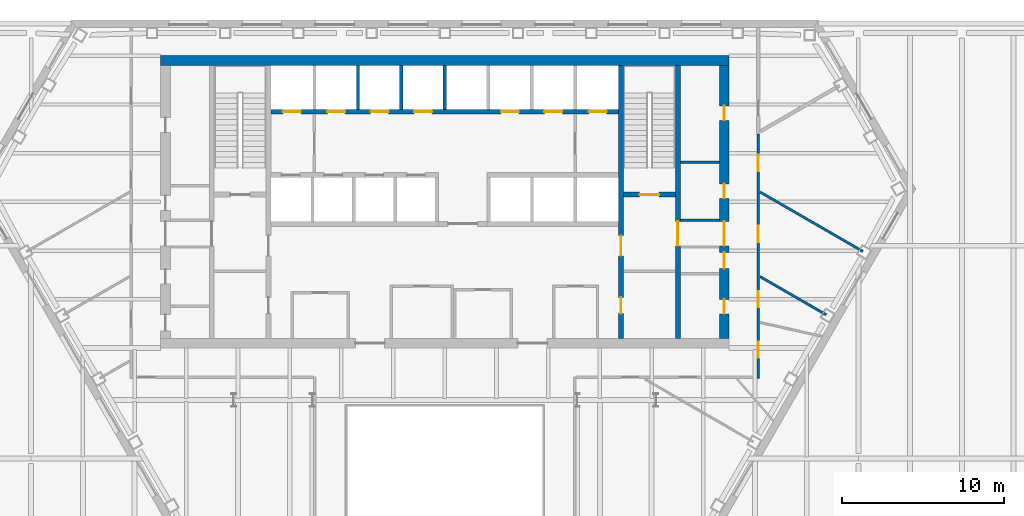
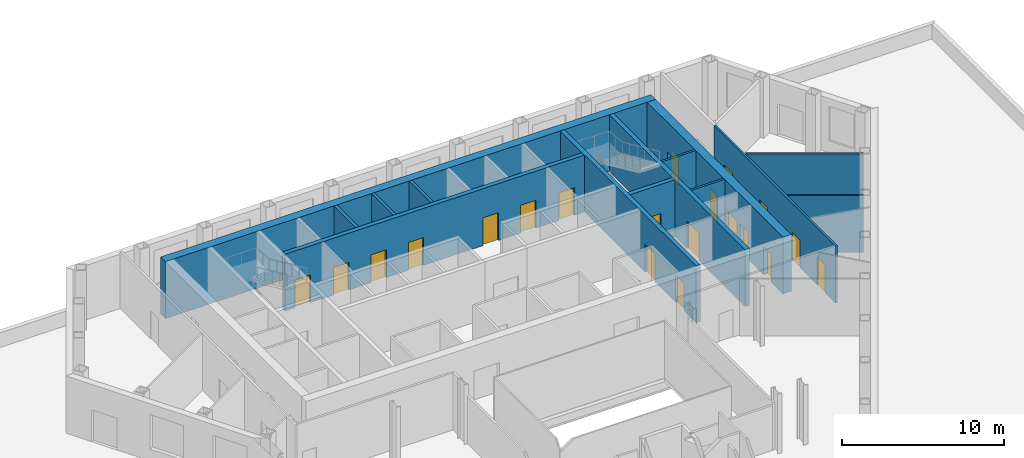
# One storey, part 9 of 14: 20 doors, 14 walls, 20 openings.
"""IFC4 building model written with IfcOpenShell, lengths in metres."""

from ifc_helpers import new_model, si_unit, direction, frame, frame_2d, origin, place, context, subcontext, project, spatial, rectangle, extrude, material, layer, layer_set, type_object, element, fill, save


model = new_model("IFC4")

# Units and contexts
model_context = context("Model", 3, precision=1e-05, world=origin(), true_north=direction((0.0, 1.0)))
body_context = subcontext(model_context, "Body", "Model", "MODEL_VIEW")
ifc_project = project(units=[si_unit("LENGTHUNIT", "METRE"), si_unit("AREAUNIT", "SQUARE_METRE"), si_unit("VOLUMEUNIT", "CUBIC_METRE"), si_unit("PLANEANGLEUNIT", "RADIAN"), si_unit("MASSUNIT", "GRAM", prefix="KILO")], contexts=[model_context])

# Site, building, storey
site_placement = place(None, origin())
site = spatial("IfcSite", under=ifc_project, at=site_placement, CompositionType="ELEMENT")
building_placement = place(site_placement, origin())
building = spatial("IfcBuilding", under=site, at=building_placement, Name="Njiva Tower", CompositionType="ELEMENT")
storey_placement = place(building_placement, frame((0.0, 0.0, 28.8)))
storey = spatial("IfcBuildingStorey", under=building, at=storey_placement, Name="L05", CompositionType="ELEMENT", Elevation=28.8)

# Wall, openings, doors
ifc_material_1 = material(Name="Concrete C40/50", Category="concrete")
ifc_layer_1 = layer(ifc_material_1, 0.3)
ifc_layer_set_1 = layer_set([ifc_layer_1], Name="Concrete C40/50")
wall_type_1 = type_object("IfcWallType", Name="WT10 Stair enclosure wall 300", PredefinedType="SHEAR", material=ifc_layer_set_1)
wall_1_placement = place(storey_placement, frame((10.85, 0.6, 0.0), z_axis=(0.0, 0.0, 1.0), x_axis=(0.0, 1.0, 0.0)))
wall_1 = element("IfcWall", 1, at=wall_1_placement, inside=storey, type_object=wall_type_1, Name="Stair wall east inner", PredefinedType="SHEAR", context=body_context, shape_type="SweptSolid", body=[
    extrude(rectangle(XDim=16.8, YDim=0.3, at=frame_2d((8.4, 0.0))), origin(), (0.0, 0.0, 1.0), 4.3),
])
opening_1_placement = place(wall_1_placement, frame((5.075, 0.0, 0.0)))
opening_1 = element("IfcOpeningElement", 2, at=opening_1_placement, cuts=wall_1, Name="Opening S01-D918", PredefinedType="OPENING", context=body_context, shape_type="SweptSolid", body=[
    extrude(rectangle(XDim=1.25, YDim=2.1, at=frame_2d((0.625, 1.05))), frame((0.0, 0.16, 0.0), z_axis=(0.0, -1.0, 0.0), x_axis=(1.0, 0.0, 0.0)), (0.0, 0.0, 1.0), 0.32),
])
opening_2_placement = place(wall_1_placement, frame((1.525, 0.0, 0.0)))
opening_2 = element("IfcOpeningElement", 3, at=opening_2_placement, cuts=wall_1, Name="Opening S01-D919", PredefinedType="OPENING", context=body_context, shape_type="SweptSolid", body=[
    extrude(rectangle(XDim=1.0, YDim=2.1, at=frame_2d((0.5, 1.05))), frame((0.0, 0.16, 0.0), z_axis=(0.0, -1.0, 0.0), x_axis=(1.0, 0.0, 0.0)), (0.0, 0.0, 1.0), 0.32),
])
ifc_material_2 = material(Name="Steel door, painted", Category="steel")
door_type_1 = type_object("IfcDoorType", Name="D5 Steel door 1000x2100", OperationType="SINGLE_SWING_LEFT", PredefinedType="DOOR", material=ifc_material_2)
door_1_placement = place(opening_2_placement, origin())
door_1 = element("IfcDoor", 4, at=door_1_placement, inside=storey, type_object=door_type_1, Name="First aid room door", OperationType="SINGLE_SWING_LEFT", OverallHeight=2.1, OverallWidth=1.0, PredefinedType="DOOR", context=body_context, shape_type="SweptSolid", body=[
    extrude(rectangle(XDim=1.0, YDim=2.1, at=frame_2d((0.5, 1.05))), frame((0.0, 0.025, 0.0), z_axis=(0.0, -1.0, 0.0), x_axis=(1.0, 0.0, 0.0)), (0.0, 0.0, 1.0), 0.05),
])
fill(opening_2, door_1)
ifc_material_3 = material(Name="Glazed steel fire door", Category="steel")
door_type_2 = type_object("IfcDoorType", Name="D8 Vestibule corridor door 1250x2100 glazed", OperationType="SINGLE_SWING_LEFT", PredefinedType="DOOR", material=ifc_material_3)
door_2_placement = place(opening_1_placement, origin())
door_2 = element("IfcDoor", 5, at=door_2_placement, inside=storey, type_object=door_type_2, Name="Stair vestibule corridor door", OperationType="SINGLE_SWING_RIGHT", OverallHeight=2.1, OverallWidth=1.25, PredefinedType="DOOR", context=body_context, shape_type="SweptSolid", body=[
    extrude(rectangle(XDim=1.25, YDim=2.1, at=frame_2d((0.625, 1.05))), frame((0.0, 0.025, 0.0), z_axis=(0.0, -1.0, 0.0), x_axis=(1.0, 0.0, 0.0)), (0.0, 0.0, 1.0), 0.05),
])
fill(opening_1, door_2)

# Wall, opening, door
wall_2_placement = place(storey_placement, frame((14.35, 0.6, 0.0), z_axis=(0.0, 0.0, 1.0), x_axis=(0.0, 1.0, 0.0)))
wall_2 = element("IfcWall", 6, at=wall_2_placement, inside=storey, type_object=wall_type_1, Name="Stair wall east outer", PredefinedType="SHEAR", context=body_context, shape_type="SweptSolid", body=[
    extrude(rectangle(XDim=16.8, YDim=0.3, at=frame_2d((8.4, 0.0))), origin(), (0.0, 0.0, 1.0), 4.3),
])
opening_3_placement = place(wall_2_placement, frame((5.7, 0.0, 0.0)))
opening_3 = element("IfcOpeningElement", 7, at=opening_3_placement, cuts=wall_2, Name="Opening S01-D926", PredefinedType="OPENING", context=body_context, shape_type="SweptSolid", body=[
    extrude(rectangle(XDim=1.5, YDim=2.1, at=frame_2d((0.75, 1.05))), frame((0.0, 0.16, 0.0), z_axis=(0.0, -1.0, 0.0), x_axis=(1.0, 0.0, 0.0)), (0.0, 0.0, 1.0), 0.32),
])
door_type_3 = type_object("IfcDoorType", Name="D10 Exit door double 1500x2100 glazed", OperationType="DOUBLE_DOOR_SINGLE_SWING", PredefinedType="DOOR", material=ifc_material_3)
door_3_placement = place(opening_3_placement, origin())
door_3 = element("IfcDoor", 8, at=door_3_placement, inside=storey, type_object=door_type_3, Name="Stair B passage door", OperationType="DOUBLE_DOOR_SINGLE_SWING", OverallHeight=2.1, OverallWidth=1.5, PredefinedType="DOOR", context=body_context, shape_type="SweptSolid", body=[
    extrude(rectangle(XDim=1.5, YDim=2.1, at=frame_2d((0.75, 1.05))), frame((0.0, 0.025, 0.0), z_axis=(0.0, -1.0, 0.0), x_axis=(1.0, 0.0, 0.0)), (0.0, 0.0, 1.0), 0.05),
])
fill(opening_3, door_3)

wall_3_placement = place(storey_placement, frame((11.0, 9.45, 0.0), z_axis=(0.0, 0.0, 1.0), x_axis=(1.0, 0.0, 0.0)))
wall_3 = element("IfcWall", 9, at=wall_3_placement, inside=storey, type_object=wall_type_1, Name="Stair B south wall", PredefinedType="SHEAR", context=body_context, shape_type="SweptSolid", body=[
    extrude(rectangle(XDim=3.2, YDim=0.3, at=frame_2d((1.6, 0.0))), origin(), (0.0, 0.0, 1.0), 4.3),
])
opening_4_placement = place(wall_3_placement, frame((1.0, 0.0, 0.0)))
opening_4 = element("IfcOpeningElement", 10, at=opening_4_placement, cuts=wall_3, Name="Opening S01-D917", PredefinedType="OPENING", context=body_context, shape_type="SweptSolid", body=[
    extrude(rectangle(XDim=1.2, YDim=2.1, at=frame_2d((0.6, 1.05))), frame((0.0, 0.16, 0.0), z_axis=(0.0, -1.0, 0.0), x_axis=(1.0, 0.0, 0.0)), (0.0, 0.0, 1.0), 0.32),
])
door_type_4 = type_object("IfcDoorType", Name="D7 Stair vestibule door 1200x2100 glazed", OperationType="SINGLE_SWING_LEFT", PredefinedType="DOOR", material=ifc_material_3)
door_4_placement = place(opening_4_placement, origin())
door_4 = element("IfcDoor", 11, at=door_4_placement, inside=storey, type_object=door_type_4, Name="Stair B door", OperationType="SINGLE_SWING_LEFT", OverallHeight=2.1, OverallWidth=1.2, PredefinedType="DOOR", context=body_context, shape_type="SweptSolid", body=[
    extrude(rectangle(XDim=1.2, YDim=2.1, at=frame_2d((0.6, 1.05))), frame((0.0, 0.025, 0.0), z_axis=(0.0, -1.0, 0.0), x_axis=(1.0, 0.0, 0.0)), (0.0, 0.0, 1.0), 0.05),
])
fill(opening_4, door_4)

# Wall
ifc_material_4 = material(Name="Concrete C60/75", Category="concrete")
ifc_layer_2 = layer(ifc_material_4, 0.6)
ifc_layer_set_2 = layer_set([ifc_layer_2], Name="Concrete C60/75")
wall_type_2 = type_object("IfcWallType", Name="WT15 Core wall 600", PredefinedType="SHEAR", material=ifc_layer_set_2)
wall_4_placement = place(storey_placement, frame((-17.5, 17.7, 0.0), z_axis=(0.0, 0.0, 1.0), x_axis=(1.0, 0.0, 0.0)))
element("IfcWall", 12, at=wall_4_placement, inside=storey, type_object=wall_type_2, Name="Core wall north", PredefinedType="SHEAR", context=body_context, shape_type="SweptSolid", body=[
    extrude(rectangle(XDim=35.0, YDim=0.6, at=frame_2d((17.5, 0.0))), origin(), (0.0, 0.0, 1.0), 4.3),
])

# Wall, openings, doors
wall_5_placement = place(storey_placement, frame((17.2, 0.6, 0.0), z_axis=(0.0, 0.0, 1.0), x_axis=(0.0, 1.0, 0.0)))
wall_5 = element("IfcWall", 13, at=wall_5_placement, inside=storey, type_object=wall_type_2, Name="Core wall east", PredefinedType="SHEAR", context=body_context, shape_type="SweptSolid", body=[
    extrude(rectangle(XDim=16.8, YDim=0.6, at=frame_2d((8.4, 0.0))), origin(), (0.0, 0.0, 1.0), 4.3),
])
opening_5_placement = place(wall_5_placement, frame((5.7, 0.0, 0.0)))
opening_5 = element("IfcOpeningElement", 14, at=opening_5_placement, cuts=wall_5, Name="Opening S01-D927", PredefinedType="OPENING", context=body_context, shape_type="SweptSolid", body=[
    extrude(rectangle(XDim=1.5, YDim=2.1, at=frame_2d((0.75, 1.05))), frame((0.0, 0.31, 0.0), z_axis=(0.0, -1.0, 0.0), x_axis=(1.0, 0.0, 0.0)), (0.0, 0.0, 1.0), 0.62),
])
opening_6_placement = place(wall_5_placement, frame((1.5, 0.0, 0.0)))
opening_6 = element("IfcOpeningElement", 15, at=opening_6_placement, cuts=wall_5, Name="Opening S01-D928", PredefinedType="OPENING", context=body_context, shape_type="SweptSolid", body=[
    extrude(rectangle(XDim=0.9, YDim=2.1, at=frame_2d((0.45, 1.05))), frame((0.0, 0.31, 0.0), z_axis=(0.0, -1.0, 0.0), x_axis=(1.0, 0.0, 0.0)), (0.0, 0.0, 1.0), 0.62),
])
opening_7_placement = place(wall_5_placement, frame((4.3, 0.0, 0.0)))
opening_7 = element("IfcOpeningElement", 16, at=opening_7_placement, cuts=wall_5, Name="Opening S01-D929", PredefinedType="OPENING", context=body_context, shape_type="SweptSolid", body=[
    extrude(rectangle(XDim=1.0, YDim=2.1, at=frame_2d((0.5, 1.05))), frame((0.0, 0.31, 0.0), z_axis=(0.0, -1.0, 0.0), x_axis=(1.0, 0.0, 0.0)), (0.0, 0.0, 1.0), 0.62),
])
opening_8_placement = place(wall_5_placement, frame((8.6132, 0.0, 0.0)))
opening_8 = element("IfcOpeningElement", 17, at=opening_8_placement, cuts=wall_5, Name="Opening S01-D930", PredefinedType="OPENING", context=body_context, shape_type="SweptSolid", body=[
    extrude(rectangle(XDim=0.9, YDim=2.1, at=frame_2d((0.45, 1.05))), frame((0.0, 0.31, 0.0), z_axis=(0.0, -1.0, 0.0), x_axis=(1.0, 0.0, 0.0)), (0.0, 0.0, 1.0), 0.62),
])
opening_9_placement = place(wall_5_placement, frame((13.4132, 0.0, 0.0)))
opening_9 = element("IfcOpeningElement", 18, at=opening_9_placement, cuts=wall_5, Name="Opening S01-D931", PredefinedType="OPENING", context=body_context, shape_type="SweptSolid", body=[
    extrude(rectangle(XDim=0.9, YDim=2.1, at=frame_2d((0.45, 1.05))), frame((0.0, 0.31, 0.0), z_axis=(0.0, -1.0, 0.0), x_axis=(1.0, 0.0, 0.0)), (0.0, 0.0, 1.0), 0.62),
])
door_5_placement = place(opening_5_placement, origin())
door_5 = element("IfcDoor", 19, at=door_5_placement, inside=storey, type_object=door_type_3, Name="Stair B corridor door", OperationType="DOUBLE_DOOR_SINGLE_SWING", OverallHeight=2.1, OverallWidth=1.5, PredefinedType="DOOR", context=body_context, shape_type="SweptSolid", body=[
    extrude(rectangle(XDim=1.5, YDim=2.1, at=frame_2d((0.75, 1.05))), frame((0.0, 0.025, 0.0), z_axis=(0.0, -1.0, 0.0), x_axis=(1.0, 0.0, 0.0)), (0.0, 0.0, 1.0), 0.05),
])
fill(opening_5, door_5)
door_type_5 = type_object("IfcDoorType", Name="D4 Riser door 900x2100", OperationType="SINGLE_SWING_LEFT", PredefinedType="DOOR", material=ifc_material_2)
door_6_placement = place(opening_8_placement, origin())
door_6 = element("IfcDoor", 20, at=door_6_placement, inside=storey, type_object=door_type_5, Name="Riser door", OperationType="SINGLE_SWING_RIGHT", OverallHeight=2.1, OverallWidth=0.9, PredefinedType="DOOR", context=body_context, shape_type="SweptSolid", body=[
    extrude(rectangle(XDim=0.9, YDim=2.1, at=frame_2d((0.45, 1.05))), frame((0.0, 0.025, 0.0), z_axis=(0.0, -1.0, 0.0), x_axis=(1.0, 0.0, 0.0)), (0.0, 0.0, 1.0), 0.05),
])
fill(opening_8, door_6)
door_7_placement = place(opening_7_placement, origin())
door_7 = element("IfcDoor", 21, at=door_7_placement, inside=storey, type_object=door_type_1, Name="Telecoms room door", OperationType="SINGLE_SWING_RIGHT", OverallHeight=2.1, OverallWidth=1.0, PredefinedType="DOOR", context=body_context, shape_type="SweptSolid", body=[
    extrude(rectangle(XDim=1.0, YDim=2.1, at=frame_2d((0.5, 1.05))), frame((0.0, 0.025, 0.0), z_axis=(0.0, -1.0, 0.0), x_axis=(1.0, 0.0, 0.0)), (0.0, 0.0, 1.0), 0.05),
])
fill(opening_7, door_7)
ifc_material_5 = material(Name="Steel fire door, painted", Category="steel")
door_type_6 = type_object("IfcDoorType", Name="D6 Fire-rated door 900x2100", OperationType="SINGLE_SWING_LEFT", PredefinedType="DOOR", material=ifc_material_5)
door_8_placement = place(opening_6_placement, origin())
door_8 = element("IfcDoor", 22, at=door_8_placement, inside=storey, type_object=door_type_6, Name="Meeting room door", OperationType="SINGLE_SWING_RIGHT", OverallHeight=2.1, OverallWidth=0.9, PredefinedType="DOOR", context=body_context, shape_type="SweptSolid", body=[
    extrude(rectangle(XDim=0.9, YDim=2.1, at=frame_2d((0.45, 1.05))), frame((0.0, 0.025, 0.0), z_axis=(0.0, -1.0, 0.0), x_axis=(1.0, 0.0, 0.0)), (0.0, 0.0, 1.0), 0.05),
])
fill(opening_6, door_8)
door_9_placement = place(opening_9_placement, origin())
door_9 = element("IfcDoor", 23, at=door_9_placement, inside=storey, type_object=door_type_6, Name="First aid room door", OperationType="SINGLE_SWING_LEFT", OverallHeight=2.1, OverallWidth=0.9, PredefinedType="DOOR", context=body_context, shape_type="SweptSolid", body=[
    extrude(rectangle(XDim=0.9, YDim=2.1, at=frame_2d((0.45, 1.05))), frame((0.0, 0.025, 0.0), z_axis=(0.0, -1.0, 0.0), x_axis=(1.0, 0.0, 0.0)), (0.0, 0.0, 1.0), 0.05),
])
fill(opening_9, door_9)

ifc_material_6 = material(Name="Gypsum board on steel studs", Category="gypsum")
ifc_layer_3 = layer(ifc_material_6, 0.15)
ifc_layer_set_3 = layer_set([ifc_layer_3], Name="Gypsum board on steel studs")
wall_type_3 = type_object("IfcWallType", Name="WT21 Compartment wall 150", PredefinedType="PARTITIONING", material=ifc_layer_set_3)
wall_6_placement = place(storey_placement, frame((19.3, -1.875, 0.0), z_axis=(0.0, 0.0, 1.0), x_axis=(6.6476102e-05, 0.99999999779, 0.0)))
wall_6 = element("IfcWall", 24, at=wall_6_placement, inside=storey, type_object=wall_type_3, Name="Partition S01-P014", PredefinedType="PARTITIONING", context=body_context, shape_type="SweptSolid", body=[
    extrude(rectangle(XDim=15.043, YDim=0.15, at=frame_2d((7.5215, 0.0))), origin(), (0.0, 0.0, 1.0), 4.3),
])
opening_10_placement = place(wall_6_placement, frame((1.277, 0.0, 0.0)))
opening_10 = element("IfcOpeningElement", 25, at=opening_10_placement, cuts=wall_6, Name="Opening S01-D010", PredefinedType="OPENING", context=body_context, shape_type="SweptSolid", body=[
    extrude(rectangle(XDim=1.0, YDim=2.1, at=frame_2d((0.5, 1.05))), frame((0.0, 0.085, 0.0), z_axis=(0.0, -1.0, 0.0), x_axis=(1.0, 0.0, 0.0)), (0.0, 0.0, 1.0), 0.17),
])
opening_11_placement = place(wall_6_placement, frame((4.384, 0.0, 0.0)))
opening_11 = element("IfcOpeningElement", 26, at=opening_11_placement, cuts=wall_6, Name="Opening S01-D011", PredefinedType="OPENING", context=body_context, shape_type="SweptSolid", body=[
    extrude(rectangle(XDim=1.0, YDim=2.1, at=frame_2d((0.5, 1.05))), frame((0.0, 0.085, 0.0), z_axis=(0.0, -1.0, 0.0), x_axis=(1.0, 0.0, 0.0)), (0.0, 0.0, 1.0), 0.17),
])
opening_12_placement = place(wall_6_placement, frame((8.392, 0.0, 0.0)))
opening_12 = element("IfcOpeningElement", 27, at=opening_12_placement, cuts=wall_6, Name="Opening S01-D012", PredefinedType="OPENING", context=body_context, shape_type="SweptSolid", body=[
    extrude(rectangle(XDim=1.0, YDim=2.1, at=frame_2d((0.5, 1.05))), frame((0.0, 0.085, 0.0), z_axis=(0.0, -1.0, 0.0), x_axis=(1.0, 0.0, 0.0)), (0.0, 0.0, 1.0), 0.17),
])
opening_13_placement = place(wall_6_placement, frame((12.769, 0.0, 0.0)))
opening_13 = element("IfcOpeningElement", 28, at=opening_13_placement, cuts=wall_6, Name="Opening S01-D013", PredefinedType="OPENING", context=body_context, shape_type="SweptSolid", body=[
    extrude(rectangle(XDim=1.0, YDim=2.1, at=frame_2d((0.5, 1.05))), frame((0.0, 0.085, 0.0), z_axis=(0.0, -1.0, 0.0), x_axis=(1.0, 0.0, 0.0)), (0.0, 0.0, 1.0), 0.17),
])
ifc_material_7 = material(Name="Steel fire door set", Category="steel")
door_type_7 = type_object("IfcDoorType", Name="D37 Fire door 1000x2100", OperationType="SINGLE_SWING_LEFT", PredefinedType="DOOR", material=ifc_material_7)
door_10_placement = place(opening_10_placement, origin())
door_10 = element("IfcDoor", 29, at=door_10_placement, inside=storey, type_object=door_type_7, Name="Door S01-D010", OperationType="SINGLE_SWING_LEFT", OverallHeight=2.1, OverallWidth=1.0, PredefinedType="DOOR", context=body_context, shape_type="SweptSolid", body=[
    extrude(rectangle(XDim=1.0, YDim=2.1, at=frame_2d((0.5, 1.05))), frame((0.0, 0.025, 0.0), z_axis=(0.0, -1.0, 0.0), x_axis=(1.0, 0.0, 0.0)), (0.0, 0.0, 1.0), 0.05),
])
fill(opening_10, door_10)
door_11_placement = place(opening_11_placement, origin())
door_11 = element("IfcDoor", 30, at=door_11_placement, inside=storey, type_object=door_type_7, Name="Door S01-D011", OperationType="SINGLE_SWING_LEFT", OverallHeight=2.1, OverallWidth=1.0, PredefinedType="DOOR", context=body_context, shape_type="SweptSolid", body=[
    extrude(rectangle(XDim=1.0, YDim=2.1, at=frame_2d((0.5, 1.05))), frame((0.0, 0.025, 0.0), z_axis=(0.0, -1.0, 0.0), x_axis=(1.0, 0.0, 0.0)), (0.0, 0.0, 1.0), 0.05),
])
fill(opening_11, door_11)
door_12_placement = place(opening_12_placement, origin())
door_12 = element("IfcDoor", 31, at=door_12_placement, inside=storey, type_object=door_type_7, Name="Door S01-D012", OperationType="SINGLE_SWING_RIGHT", OverallHeight=2.1, OverallWidth=1.0, PredefinedType="DOOR", context=body_context, shape_type="SweptSolid", body=[
    extrude(rectangle(XDim=1.0, YDim=2.1, at=frame_2d((0.5, 1.05))), frame((0.0, 0.025, 0.0), z_axis=(0.0, -1.0, 0.0), x_axis=(1.0, 0.0, 0.0)), (0.0, 0.0, 1.0), 0.05),
])
fill(opening_12, door_12)
door_13_placement = place(opening_13_placement, origin())
door_13 = element("IfcDoor", 32, at=door_13_placement, inside=storey, type_object=door_type_7, Name="Door S01-D013", OperationType="SINGLE_SWING_RIGHT", OverallHeight=2.1, OverallWidth=1.0, PredefinedType="DOOR", context=body_context, shape_type="SweptSolid", body=[
    extrude(rectangle(XDim=1.0, YDim=2.1, at=frame_2d((0.5, 1.05))), frame((0.0, 0.025, 0.0), z_axis=(0.0, -1.0, 0.0), x_axis=(1.0, 0.0, 0.0)), (0.0, 0.0, 1.0), 0.05),
])
fill(opening_13, door_13)

# Walls
wall_7_placement = place(storey_placement, frame((19.413, 4.4, 0.0), z_axis=(0.0, 0.0, 1.0), x_axis=(0.865955197451, -0.500121581226, 0.0)))
element("IfcWall", 33, at=wall_7_placement, inside=storey, type_object=wall_type_3, Name="Partition S01-P017", PredefinedType="PARTITIONING", context=body_context, shape_type="SweptSolid", body=[
    extrude(rectangle(XDim=4.6989, YDim=0.15, at=frame_2d((2.3494, 0.0))), origin(), (0.0, 0.0, 1.0), 4.3),
])
wall_8_placement = place(storey_placement, frame((19.413, 9.606, 0.0), z_axis=(0.0, 0.0, 1.0), x_axis=(0.865941524513, -0.500145255025, 0.0)))
element("IfcWall", 34, at=wall_8_placement, inside=storey, type_object=wall_type_3, Name="Partition S01-P018", PredefinedType="PARTITIONING", context=body_context, shape_type="SweptSolid", body=[
    extrude(rectangle(XDim=7.3019, YDim=0.15, at=frame_2d((3.651, 0.0))), origin(), (0.0, 0.0, 1.0), 4.3),
])
ifc_material_8 = material(Name="Blockwork", Category="masonry")
ifc_layer_4 = layer(ifc_material_8, 0.15)
ifc_layer_set_4 = layer_set([ifc_layer_4], Name="Blockwork")
wall_type_4 = type_object("IfcWallType", Name="WT3 Riser partition 150", PredefinedType="PARTITIONING", material=ifc_layer_set_4)
wall_9_placement = place(storey_placement, frame((14.5, 11.4513, 0.0), z_axis=(0.0, 0.0, 1.0), x_axis=(1.0, 0.0, 0.0)))
element("IfcWall", 35, at=wall_9_placement, inside=storey, type_object=wall_type_4, Name="Partition strip E10", PredefinedType="PARTITIONING", context=body_context, shape_type="SweptSolid", body=[
    extrude(rectangle(XDim=2.4, YDim=0.15, at=frame_2d((1.2, 0.0))), origin(), (0.0, 0.0, 1.0), 4.3),
])
ifc_layer_5 = layer(ifc_material_8, 0.15)
ifc_layer_set_5 = layer_set([ifc_layer_5], Name="Blockwork")
wall_type_5 = type_object("IfcWallType", Name="WT4 Stair partition 150", PredefinedType="PARTITIONING", material=ifc_layer_set_5)
wall_10_placement = place(storey_placement, frame((14.5, 7.875, 0.0), z_axis=(0.0, 0.0, 1.0), x_axis=(1.0, 0.0, 0.0)))
element("IfcWall", 36, at=wall_10_placement, inside=storey, type_object=wall_type_5, Name="Stair B exit passage wall north", PredefinedType="PARTITIONING", context=body_context, shape_type="SweptSolid", body=[
    extrude(rectangle(XDim=2.4, YDim=0.15, at=frame_2d((1.2, 0.0))), origin(), (0.0, 0.0, 1.0), 4.3),
])
ifc_layer_6 = layer(ifc_material_1, 0.2)
ifc_layer_set_6 = layer_set([ifc_layer_6], Name="Concrete C40/50")
wall_type_6 = type_object("IfcWallType", Name="WT6 Lift shaft wall 200", PredefinedType="SHEAR", material=ifc_layer_set_6)
for number, where, z_axis, x_axis, name in (
    (37, (-5.35, 14.7, 0.0), (0.0, 0.0, 1.0), (0.0, 1.0, 0.0), "Shaft wall CN2"),
    (38, (-2.675, 14.7, 0.0), (0.0, 0.0, 1.0), (0.0, 1.0, 0.0), "Shaft wall CN3"),
    (39, (0.0, 14.7, 0.0), (0.0, 0.0, 1.0), (0.0, 1.0, 0.0), "Shaft wall CN4"),
):
    element("IfcWall", number, at=place(storey_placement, frame(where, z_axis=z_axis, x_axis=x_axis)), inside=storey, type_object=wall_type_6, Name=name, PredefinedType="SHEAR", context=body_context, shape_type="SweptSolid", body=[
        extrude(rectangle(XDim=2.7, YDim=0.2, at=frame_2d((1.35, 0.0))), origin(), (0.0, 0.0, 1.0), 4.3),
    ])

# Wall, openings, doors
ifc_layer_7 = layer(ifc_material_1, 0.3)
ifc_layer_set_7 = layer_set([ifc_layer_7], Name="Concrete C40/50")
wall_type_7 = type_object("IfcWallType", Name="WT7 Lift shaft wall 300", PredefinedType="SHEAR", material=ifc_layer_set_7)
wall_11_placement = place(storey_placement, frame((-10.7, 14.55, 0.0), z_axis=(0.0, 0.0, 1.0), x_axis=(1.0, 0.0, 0.0)))
wall_11 = element("IfcWall", 40, at=wall_11_placement, inside=storey, type_object=wall_type_7, Name="Shaft wall north row lobby side", PredefinedType="SHEAR", context=body_context, shape_type="SweptSolid", body=[
    extrude(rectangle(XDim=21.4, YDim=0.3, at=frame_2d((10.7, 0.0))), origin(), (0.0, 0.0, 1.0), 4.3),
])
opening_14_placement = place(wall_11_placement, frame((0.7375, 0.0, 0.0)))
opening_14 = element("IfcOpeningElement", 41, at=opening_14_placement, cuts=wall_11, Name="Opening S01-D901", PredefinedType="OPENING", context=body_context, shape_type="SweptSolid", body=[
    extrude(rectangle(XDim=1.1, YDim=2.1, at=frame_2d((0.55, 1.05))), frame((0.0, 0.16, 0.0), z_axis=(0.0, -1.0, 0.0), x_axis=(1.0, 0.0, 0.0)), (0.0, 0.0, 1.0), 0.32),
])
opening_15_placement = place(wall_11_placement, frame((3.4625, 0.0, 0.0)))
opening_15 = element("IfcOpeningElement", 42, at=opening_15_placement, cuts=wall_11, Name="Opening S01-D902", PredefinedType="OPENING", context=body_context, shape_type="SweptSolid", body=[
    extrude(rectangle(XDim=1.1, YDim=2.1, at=frame_2d((0.55, 1.05))), frame((0.0, 0.16, 0.0), z_axis=(0.0, -1.0, 0.0), x_axis=(1.0, 0.0, 0.0)), (0.0, 0.0, 1.0), 0.32),
])
opening_16_placement = place(wall_11_placement, frame((6.1375, 0.0, 0.0)))
opening_16 = element("IfcOpeningElement", 43, at=opening_16_placement, cuts=wall_11, Name="Opening S01-D903", PredefinedType="OPENING", context=body_context, shape_type="SweptSolid", body=[
    extrude(rectangle(XDim=1.1, YDim=2.1, at=frame_2d((0.55, 1.05))), frame((0.0, 0.16, 0.0), z_axis=(0.0, -1.0, 0.0), x_axis=(1.0, 0.0, 0.0)), (0.0, 0.0, 1.0), 0.32),
])
opening_17_placement = place(wall_11_placement, frame((8.8125, 0.0, 0.0)))
opening_17 = element("IfcOpeningElement", 44, at=opening_17_placement, cuts=wall_11, Name="Opening S01-D904", PredefinedType="OPENING", context=body_context, shape_type="SweptSolid", body=[
    extrude(rectangle(XDim=1.1, YDim=2.1, at=frame_2d((0.55, 1.05))), frame((0.0, 0.16, 0.0), z_axis=(0.0, -1.0, 0.0), x_axis=(1.0, 0.0, 0.0)), (0.0, 0.0, 1.0), 0.32),
])
opening_18_placement = place(wall_11_placement, frame((14.1625, 0.0, 0.0)))
opening_18 = element("IfcOpeningElement", 45, at=opening_18_placement, cuts=wall_11, Name="Opening S01-D905", PredefinedType="OPENING", context=body_context, shape_type="SweptSolid", body=[
    extrude(rectangle(XDim=1.1, YDim=2.1, at=frame_2d((0.55, 1.05))), frame((0.0, 0.16, 0.0), z_axis=(0.0, -1.0, 0.0), x_axis=(1.0, 0.0, 0.0)), (0.0, 0.0, 1.0), 0.32),
])
opening_19_placement = place(wall_11_placement, frame((16.8375, 0.0, 0.0)))
opening_19 = element("IfcOpeningElement", 46, at=opening_19_placement, cuts=wall_11, Name="Opening S01-D906", PredefinedType="OPENING", context=body_context, shape_type="SweptSolid", body=[
    extrude(rectangle(XDim=1.1, YDim=2.1, at=frame_2d((0.55, 1.05))), frame((0.0, 0.16, 0.0), z_axis=(0.0, -1.0, 0.0), x_axis=(1.0, 0.0, 0.0)), (0.0, 0.0, 1.0), 0.32),
])
opening_20_placement = place(wall_11_placement, frame((19.5625, 0.0, 0.0)))
opening_20 = element("IfcOpeningElement", 47, at=opening_20_placement, cuts=wall_11, Name="Opening S01-D907", PredefinedType="OPENING", context=body_context, shape_type="SweptSolid", body=[
    extrude(rectangle(XDim=1.1, YDim=2.1, at=frame_2d((0.55, 1.05))), frame((0.0, 0.16, 0.0), z_axis=(0.0, -1.0, 0.0), x_axis=(1.0, 0.0, 0.0)), (0.0, 0.0, 1.0), 0.32),
])
ifc_material_9 = material(Name="Stainless steel sliding door", Category="steel")
door_type_8 = type_object("IfcDoorType", Name="LD Lift landing door 1100x2100", OperationType="SLIDING_TO_LEFT", PredefinedType="DOOR", material=ifc_material_9)
door_14_placement = place(opening_14_placement, origin())
door_14 = element("IfcDoor", 48, at=door_14_placement, inside=storey, type_object=door_type_8, Name="Lift landing door FF1", OperationType="SLIDING_TO_LEFT", OverallHeight=2.1, OverallWidth=1.1, PredefinedType="DOOR", context=body_context, shape_type="SweptSolid", body=[
    extrude(rectangle(XDim=1.1, YDim=2.1, at=frame_2d((0.55, 1.05))), frame((0.0, 0.025, 0.0), z_axis=(0.0, -1.0, 0.0), x_axis=(1.0, 0.0, 0.0)), (0.0, 0.0, 1.0), 0.05),
])
fill(opening_14, door_14)
door_15_placement = place(opening_15_placement, origin())
door_15 = element("IfcDoor", 49, at=door_15_placement, inside=storey, type_object=door_type_8, Name="Lift landing door LB1", OperationType="SLIDING_TO_LEFT", OverallHeight=2.1, OverallWidth=1.1, PredefinedType="DOOR", context=body_context, shape_type="SweptSolid", body=[
    extrude(rectangle(XDim=1.1, YDim=2.1, at=frame_2d((0.55, 1.05))), frame((0.0, 0.025, 0.0), z_axis=(0.0, -1.0, 0.0), x_axis=(1.0, 0.0, 0.0)), (0.0, 0.0, 1.0), 0.05),
])
fill(opening_15, door_15)
door_16_placement = place(opening_16_placement, origin())
door_16 = element("IfcDoor", 50, at=door_16_placement, inside=storey, type_object=door_type_8, Name="Lift landing door LB2", OperationType="SLIDING_TO_LEFT", OverallHeight=2.1, OverallWidth=1.1, PredefinedType="DOOR", context=body_context, shape_type="SweptSolid", body=[
    extrude(rectangle(XDim=1.1, YDim=2.1, at=frame_2d((0.55, 1.05))), frame((0.0, 0.025, 0.0), z_axis=(0.0, -1.0, 0.0), x_axis=(1.0, 0.0, 0.0)), (0.0, 0.0, 1.0), 0.05),
])
fill(opening_16, door_16)
door_17_placement = place(opening_17_placement, origin())
door_17 = element("IfcDoor", 51, at=door_17_placement, inside=storey, type_object=door_type_8, Name="Lift landing door LB3", OperationType="SLIDING_TO_LEFT", OverallHeight=2.1, OverallWidth=1.1, PredefinedType="DOOR", context=body_context, shape_type="SweptSolid", body=[
    extrude(rectangle(XDim=1.1, YDim=2.1, at=frame_2d((0.55, 1.05))), frame((0.0, 0.025, 0.0), z_axis=(0.0, -1.0, 0.0), x_axis=(1.0, 0.0, 0.0)), (0.0, 0.0, 1.0), 0.05),
])
fill(opening_17, door_17)
door_18_placement = place(opening_18_placement, origin())
door_18 = element("IfcDoor", 52, at=door_18_placement, inside=storey, type_object=door_type_8, Name="Lift landing door FR1", OperationType="SLIDING_TO_LEFT", OverallHeight=2.1, OverallWidth=1.1, PredefinedType="DOOR", context=body_context, shape_type="SweptSolid", body=[
    extrude(rectangle(XDim=1.1, YDim=2.1, at=frame_2d((0.55, 1.05))), frame((0.0, 0.025, 0.0), z_axis=(0.0, -1.0, 0.0), x_axis=(1.0, 0.0, 0.0)), (0.0, 0.0, 1.0), 0.05),
])
fill(opening_18, door_18)
door_19_placement = place(opening_19_placement, origin())
door_19 = element("IfcDoor", 53, at=door_19_placement, inside=storey, type_object=door_type_8, Name="Lift landing door FR2", OperationType="SLIDING_TO_LEFT", OverallHeight=2.1, OverallWidth=1.1, PredefinedType="DOOR", context=body_context, shape_type="SweptSolid", body=[
    extrude(rectangle(XDim=1.1, YDim=2.1, at=frame_2d((0.55, 1.05))), frame((0.0, 0.025, 0.0), z_axis=(0.0, -1.0, 0.0), x_axis=(1.0, 0.0, 0.0)), (0.0, 0.0, 1.0), 0.05),
])
fill(opening_19, door_19)
door_20_placement = place(opening_20_placement, origin())
door_20 = element("IfcDoor", 54, at=door_20_placement, inside=storey, type_object=door_type_8, Name="Lift landing door FF2", OperationType="SLIDING_TO_LEFT", OverallHeight=2.1, OverallWidth=1.1, PredefinedType="DOOR", context=body_context, shape_type="SweptSolid", body=[
    extrude(rectangle(XDim=1.1, YDim=2.1, at=frame_2d((0.55, 1.05))), frame((0.0, 0.025, 0.0), z_axis=(0.0, -1.0, 0.0), x_axis=(1.0, 0.0, 0.0)), (0.0, 0.0, 1.0), 0.05),
])
fill(opening_20, door_20)

save(model, "model.ifc")
